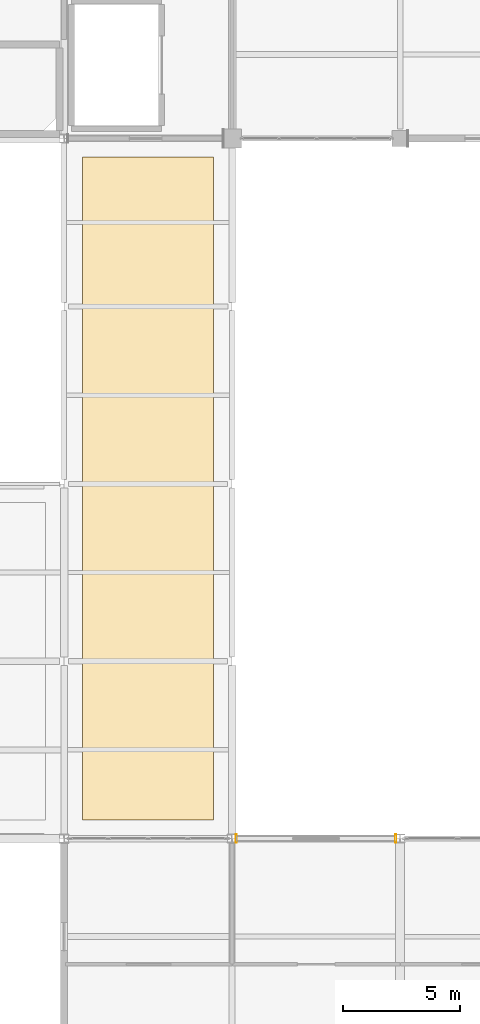
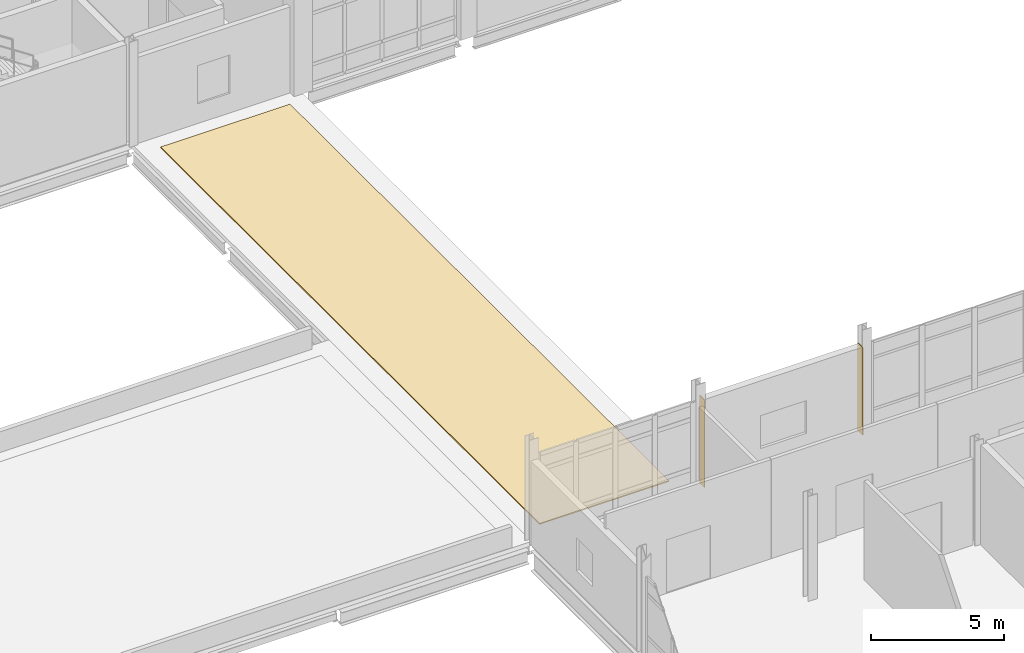
# One storey, part 146 of 153: 3 coverings.
"""IFC4 building model written with IfcOpenShell, lengths in metres."""

from ifc_helpers import new_model, si_unit, direction, frame, origin, place, context, subcontext, project, spatial, polyline, outline, extrude, material, layer, layer_set, type_object, element, save


model = new_model("IFC4")

# Units and contexts
model_context = context("Model", 3, precision=1e-05, world=origin(), true_north=direction((0.0, 1.0)))
body_context = subcontext(model_context, "Body", "Model", "MODEL_VIEW")
ifc_project = project(units=[si_unit("LENGTHUNIT", "METRE"), si_unit("AREAUNIT", "SQUARE_METRE"), si_unit("VOLUMEUNIT", "CUBIC_METRE"), si_unit("PLANEANGLEUNIT", "RADIAN"), si_unit("MASSUNIT", "GRAM", prefix="KILO")], contexts=[model_context])

# Site, building, storey
site_placement = place(None, origin())
site = spatial("IfcSite", under=ifc_project, at=site_placement, CompositionType="ELEMENT")
building_placement = place(site_placement, origin())
building = spatial("IfcBuilding", under=site, at=building_placement, Name="Calvrana Isthmian Art Gallery", CompositionType="ELEMENT")
storey_placement = place(building_placement, frame((0.0, 0.0, 10.199951171875)))
storey = spatial("IfcBuildingStorey", under=building, at=storey_placement, Name="L02", CompositionType="ELEMENT", Elevation=10.199951171875)

# Coverings
ifc_material_1 = material(Name="Polychrome glazed terracotta", Category="masonry")
ifc_layer_1 = layer(ifc_material_1, 0.0400390625, Name="Polychrome glazed terracotta")
ifc_layer_set_1 = layer_set([ifc_layer_1], Name="Polychrome glazed terracotta")
covering_type_1 = type_object("IfcCoveringType", Name="COV-CLAD-TERRA", PredefinedType="CLADDING", material=ifc_layer_set_1)
covering_1_placement = place(storey_placement, origin())
element("IfcCovering", 1, at=covering_1_placement, inside=storey, type_object=covering_type_1, Name="Column pocket weather closure L02-15-06-W", PredefinedType="CLADDING", context=body_context, shape_type="SweptSolid", body=[
    extrude(outline(polyline([(120.157958984375, 46.614501953125), (120.197998046875, 46.614501953125), (120.197998046875, 46.985595703125), (120.157958984375, 46.985595703125), (120.157958984375, 46.614501953125)])), origin(), (0.0, 0.0, 1.0), 3.990966796875),
])
covering_2_placement = place(storey_placement, origin())
element("IfcCovering", 2, at=covering_2_placement, inside=storey, type_object=covering_type_1, Name="Column pocket weather closure L02-15-06-E", PredefinedType="CLADDING", context=body_context, shape_type="SweptSolid", body=[
    extrude(outline(polyline([(127.0029296875, 46.616943359375), (127.04296875, 46.616943359375), (127.04296875, 46.98291015625), (127.0029296875, 46.98291015625), (127.0029296875, 46.616943359375)])), origin(), (0.0, 0.0, 1.0), 3.990966796875),
])
ifc_material_2 = material(Name="Standing-seam zinc-aluminium roofing", Category="aluminium")
ifc_layer_2 = layer(ifc_material_2, 0.050048828125, Name="Standing-seam zinc-aluminium roofing")
ifc_layer_set_2 = layer_set([ifc_layer_2], Name="Standing-seam zinc-aluminium roofing")
covering_type_2 = type_object("IfcCoveringType", Name="COV-ROOF-ZINC", PredefinedType="ROOFING", material=ifc_layer_set_2)
covering_3_placement = place(storey_placement, origin())
element("IfcCovering", 3, at=covering_3_placement, inside=storey, type_object=covering_type_2, Name="Insulated roof membrane ROOF_V5L_L02", PredefinedType="ROOFING", context=body_context, shape_type="SweptSolid", body=[
    extrude(outline(polyline([(113.60009765625, 47.60009765625), (119.199951171875, 47.60009765625), (119.199951171875, 76.0), (113.60009765625, 76.0), (113.60009765625, 47.60009765625)])), origin(), (0.0, 0.0, 1.0), 0.050048828125),
])

save(model, "model.ifc")
